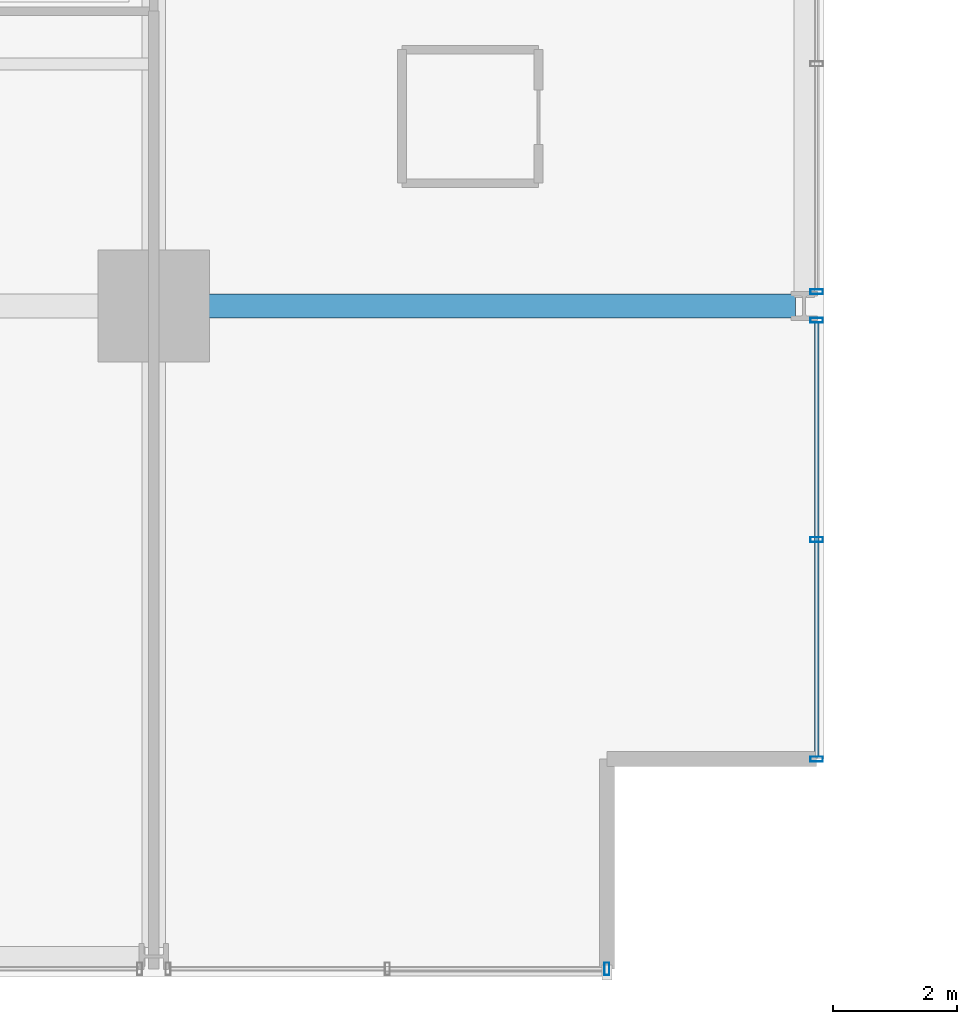
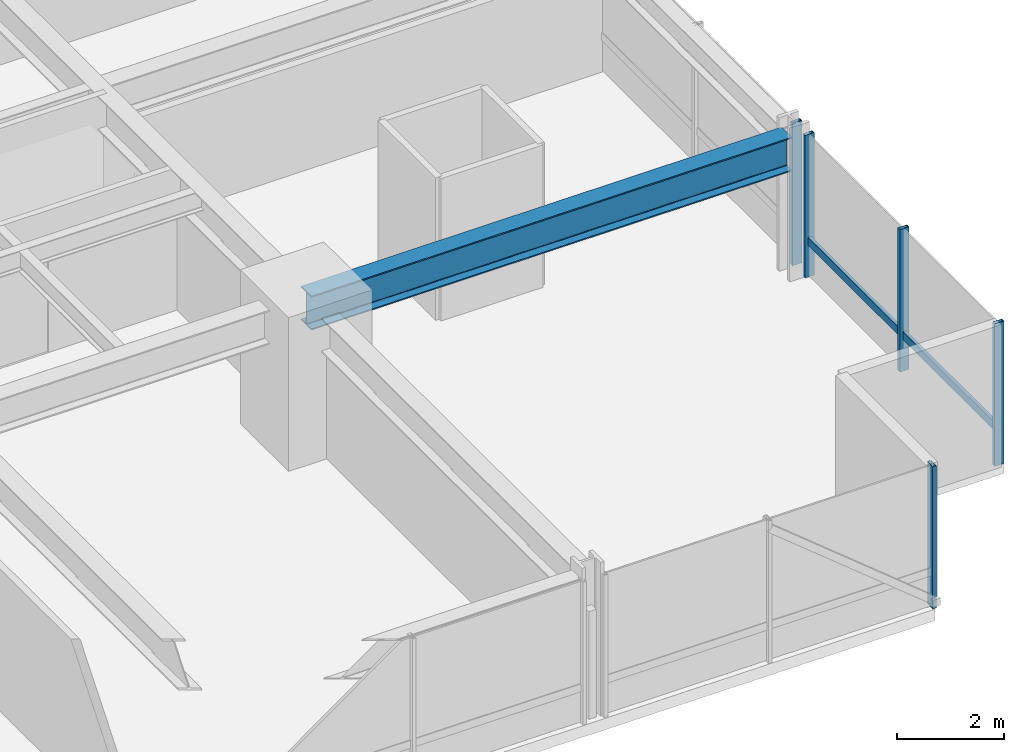
# One storey, part 13 of 38: 6 members, 1 beam, 3 elements without a shape of their own.
"""IFC4 building model written with IfcOpenShell, lengths in metres."""

from ifc_helpers import new_model, si_unit, direction, frame, origin, origin_2d, place, context, subcontext, project, spatial, hollow_rectangle, i_section, extrude, material, layer, layer_set, material_profile, profile_set, type_object, element, aggregate, save


model = new_model("IFC4")

# Units and contexts
model_context = context("Model", 3, precision=1e-05, world=origin(), true_north=direction((0.0, 1.0)))
body_context = subcontext(model_context, "Body", "Model", "MODEL_VIEW")
ifc_project = project(units=[si_unit("LENGTHUNIT", "METRE"), si_unit("AREAUNIT", "SQUARE_METRE"), si_unit("VOLUMEUNIT", "CUBIC_METRE"), si_unit("PLANEANGLEUNIT", "RADIAN"), si_unit("MASSUNIT", "GRAM", prefix="KILO")], contexts=[model_context])

# Site, building, storey
site_placement = place(None, origin())
site = spatial("IfcSite", under=ifc_project, at=site_placement, CompositionType="ELEMENT")
building_placement = place(site_placement, origin())
building = spatial("IfcBuilding", under=site, at=building_placement, Name="Drelvath Grand Hotel", CompositionType="ELEMENT")
storey_placement = place(building_placement, frame((0.0, 0.0, 68.199951171875)))
storey = spatial("IfcBuildingStorey", under=building, at=storey_placement, Name="L16", CompositionType="ELEMENT", Elevation=68.199951171875)

# Curtain wall, members
ifc_material_1 = material(Name="Warm Bronze Anodised Aluminium Frame", Category="aluminium")
ifc_layer = layer(ifc_material_1, 0.199951171875)
ifc_layer_set = layer_set([ifc_layer], Name="Warm Bronze Anodised Aluminium Frame")
curtain_wall_type = type_object("IfcCurtainWallType", Name="Stick Curtain Wall CW-02 Warm Bronze Low-Rise", PredefinedType="NOTDEFINED", material=ifc_layer_set)
curtain_wall_1_placement = place(storey_placement, origin())
curtain_wall_1 = element("IfcCurtainWall", 1, at=curtain_wall_1_placement, inside=storey, type_object=curtain_wall_type, Name="L16 CW-02 Curtain Wall CW02-L16-ES1", PredefinedType="NOTDEFINED")
ifc_material_profile_1 = material_profile(ifc_material_1, hollow_rectangle(XDim=0.074951171875, YDim=0.179931640625, WallThickness=0.0048828125, at=origin_2d()), Name="HSS180X75X5")
ifc_profile_set_1 = profile_set([ifc_material_profile_1], Name="Warm Bronze Anodised Aluminium Frame")
member_type_1 = type_object("IfcMemberType", Name="Curtain Wall Horizontal Transom CW-02 HSS180X75X5", PredefinedType="USERDEFINED", material=ifc_profile_set_1)
member_1_placement = place(storey_placement, frame((26.8798828125, 10.531005859375, 0.81005859375), z_axis=(0.0, -1.0, 0.0), x_axis=(1.0, 0.0, 0.0)))
member_1 = element("IfcMember", 2, at=member_1_placement, type_object=member_type_1, Name="CW02-L16-ES1 Sill Transom", ObjectType="TRANSOM", PredefinedType="USERDEFINED", context=body_context, shape_type="SweptSolid", body=[
    extrude(hollow_rectangle(XDim=0.074951171875, YDim=0.179931640625, WallThickness=0.0048828125, at=origin_2d()), origin(), (0.0, 0.0, 1.0), 6.990966796875),
])
ifc_material_profile_2 = material_profile(ifc_material_1, hollow_rectangle(XDim=0.080078125, YDim=0.199951171875, WallThickness=0.0048828125, at=origin_2d()), Name="HSS200X80X5")
ifc_profile_set_2 = profile_set([ifc_material_profile_2], Name="Warm Bronze Anodised Aluminium Frame")
member_type_2 = type_object("IfcMemberType", Name="Curtain Wall Vertical Mullion CW-02 HSS200X80X5", PredefinedType="MULLION", material=ifc_profile_set_2)
member_2_placement = place(storey_placement, frame((26.8798828125, 10.57080078125, 0.0), z_axis=(0.0, 0.0, 1.0), x_axis=(0.0, 1.0, 0.0)))
member_2 = element("IfcMember", 3, at=member_2_placement, type_object=member_type_2, Name="CW02-L16-ES1 Mullion 1", PredefinedType="MULLION", context=body_context, shape_type="SweptSolid", body=[
    extrude(hollow_rectangle(XDim=0.080078125, YDim=0.199951171875, WallThickness=0.0048828125, at=origin_2d()), origin(), (0.0, 0.0, 1.0), 3.239990234375),
])
member_3_placement = place(storey_placement, frame((26.8798828125, 7.035400390625, 0.0), z_axis=(0.0, 0.0, 1.0), x_axis=(0.0, 1.0, 0.0)))
member_3 = element("IfcMember", 4, at=member_3_placement, type_object=member_type_2, Name="CW02-L16-ES1 Mullion 2", PredefinedType="MULLION", context=body_context, shape_type="SweptSolid", body=[
    extrude(hollow_rectangle(XDim=0.080078125, YDim=0.199951171875, WallThickness=0.0048828125, at=origin_2d()), origin(), (0.0, 0.0, 1.0), 3.239990234375),
])
member_4_placement = place(storey_placement, frame((26.8798828125, 3.5, 0.0), z_axis=(0.0, 0.0, 1.0), x_axis=(0.0, 1.0, 0.0)))
member_4 = element("IfcMember", 5, at=member_4_placement, type_object=member_type_2, Name="CW02-L16-ES1 Mullion 3", PredefinedType="MULLION", context=body_context, shape_type="SweptSolid", body=[
    extrude(hollow_rectangle(XDim=0.080078125, YDim=0.199951171875, WallThickness=0.0048828125, at=origin_2d()), origin(), (0.0, 0.0, 1.0), 3.239990234375),
])
aggregate(curtain_wall_1, [member_2, member_3, member_4, member_1])

# Curtain wall, member
curtain_wall_2_placement = place(storey_placement, origin())
curtain_wall_2 = element("IfcCurtainWall", 6, at=curtain_wall_2_placement, inside=storey, type_object=curtain_wall_type, Name="L16 CW-02 Curtain Wall CW02-L16-ES2", PredefinedType="NOTDEFINED")
member_5_placement = place(storey_placement, frame((26.8798828125, 11.029052734375, 0.0), z_axis=(0.0, 0.0, 1.0), x_axis=(0.0, 1.0, 0.0)))
member_5 = element("IfcMember", 7, at=member_5_placement, type_object=member_type_2, Name="CW02-L16-ES2 Mullion 3", PredefinedType="MULLION", context=body_context, shape_type="SweptSolid", body=[
    extrude(hollow_rectangle(XDim=0.080078125, YDim=0.199951171875, WallThickness=0.0048828125, at=origin_2d()), origin(), (0.0, 0.0, 1.0), 3.239990234375),
])
aggregate(curtain_wall_2, [member_5])

curtain_wall_3_placement = place(storey_placement, origin())
curtain_wall_3 = element("IfcCurtainWall", 8, at=curtain_wall_3_placement, inside=storey, type_object=curtain_wall_type, Name="L16 CW-02 Curtain Wall CW02-L16-SE3", PredefinedType="NOTDEFINED")
member_6_placement = place(storey_placement, frame((23.5, 0.1201171875, 0.0), z_axis=(0.0, 0.0, 1.0), x_axis=(1.0, 0.0, 0.0)))
member_6 = element("IfcMember", 9, at=member_6_placement, type_object=member_type_2, Name="CW02-L16-SE3 Mullion 1", PredefinedType="MULLION", context=body_context, shape_type="SweptSolid", body=[
    extrude(hollow_rectangle(XDim=0.080078125, YDim=0.199951171875, WallThickness=0.0048828125, at=origin_2d()), origin(), (0.0, 0.0, 1.0), 3.239990234375),
])
aggregate(curtain_wall_3, [member_6])

# Beam
ifc_material_2 = material(Name="Steel ASTM A992 Gr 50", Category="steel")
ifc_material_profile_3 = material_profile(ifc_material_2, i_section(OverallWidth=0.380615234375, OverallDepth=0.773193359375, WebThickness=0.0166015625, FlangeThickness=0.027099609375, FilletRadius=0.02490234375, at=origin_2d()), Name="W30X173")
ifc_profile_set_3 = profile_set([ifc_material_profile_3], Name="Steel ASTM A992 Gr 50")
beam_type = type_object("IfcBeamType", Name="Primary Floor Girder W30X173", PredefinedType="BEAM", material=ifc_profile_set_3)
beam_placement = place(storey_placement, frame((16.199951171875, 10.800048828125, 2.853515625), z_axis=(1.0, 0.0, 0.0), x_axis=(0.0, 1.0, 0.0)))
element("IfcBeam", 10, at=beam_placement, inside=storey, type_object=beam_type, Name="L16 East Grid Girder C", PredefinedType="BEAM", context=body_context, shape_type="SweptSolid", body=[
    extrude(i_section(OverallWidth=0.380615234375, OverallDepth=0.773193359375, WebThickness=0.0166015625, FlangeThickness=0.027099609375, FilletRadius=0.02490234375, at=origin_2d()), origin(), (0.0, 0.0, 1.0), 10.340087890625),
])

save(model, "model.ifc")
